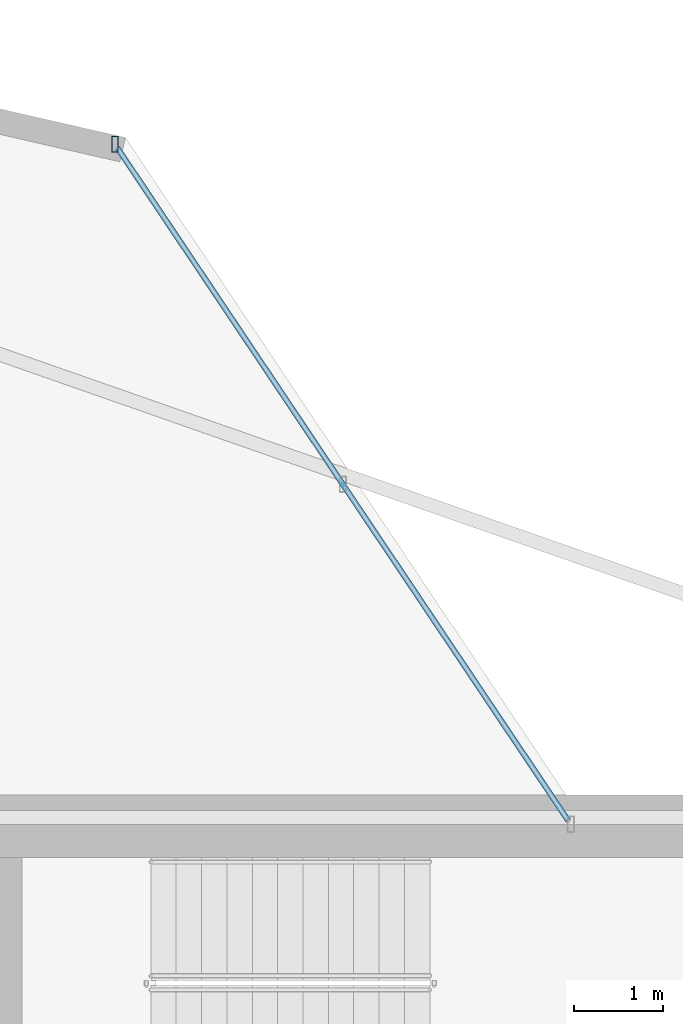
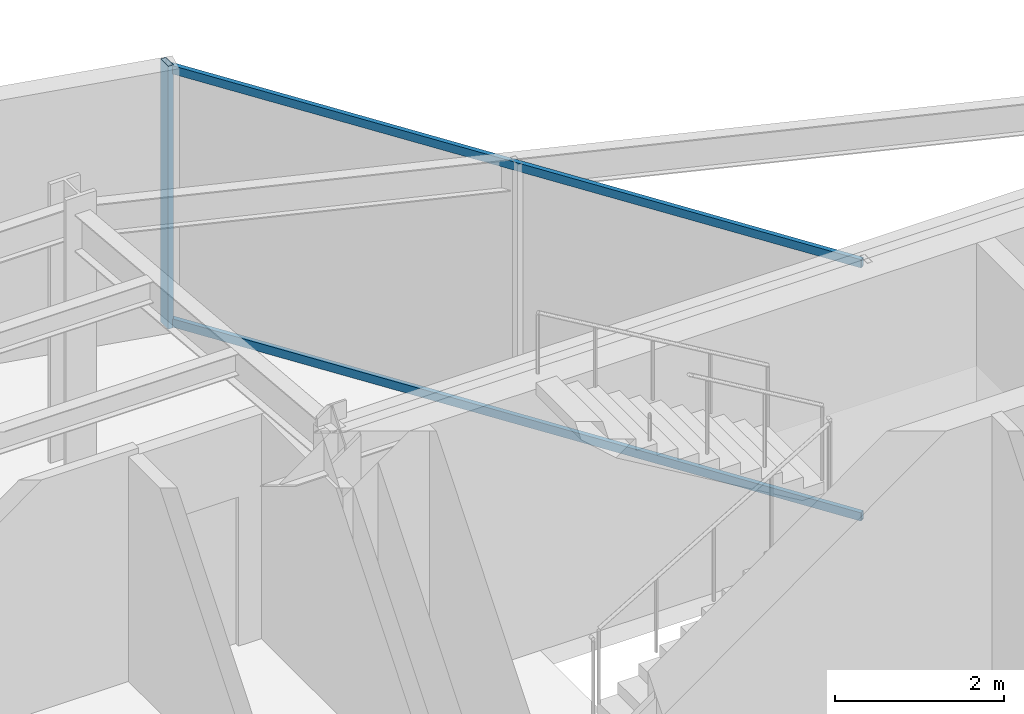
# One storey, part 13 of 22: 3 members, 1 element without a shape of its own.
"""IFC4 building model written with IfcOpenShell, lengths in metres."""

from ifc_helpers import new_model, si_unit, direction, frame, origin, origin_2d, place, context, subcontext, project, spatial, hollow_rectangle, extrude, material, layer, layer_set, material_profile, profile_set, type_object, element, aggregate, save


model = new_model("IFC4")

# Units and contexts
model_context = context("Model", 3, precision=1e-05, world=origin(), true_north=direction((0.0, 1.0)))
body_context = subcontext(model_context, "Body", "Model", "MODEL_VIEW")
ifc_project = project(units=[si_unit("LENGTHUNIT", "METRE"), si_unit("AREAUNIT", "SQUARE_METRE"), si_unit("VOLUMEUNIT", "CUBIC_METRE"), si_unit("PLANEANGLEUNIT", "RADIAN"), si_unit("MASSUNIT", "GRAM", prefix="KILO")], contexts=[model_context])

# Site, building, storey
site_placement = place(None, origin())
site = spatial("IfcSite", under=ifc_project, at=site_placement, CompositionType="ELEMENT")
building_placement = place(site_placement, origin())
building = spatial("IfcBuilding", under=site, at=building_placement, Name="Veymaron Broadcast Tower", CompositionType="ELEMENT")
storey_placement = place(building_placement, frame((0.0, 0.0, 204.0)))
storey = spatial("IfcBuildingStorey", under=building, at=storey_placement, Name="L47", CompositionType="ELEMENT", Elevation=204.0)

# Curtain wall, members
ifc_material_1 = material(Name="Anodised aluminium AA 6063-T6 and laminated low-E dark glass", Category="aluminium")
ifc_layer = layer(ifc_material_1, 0.179931640625)
ifc_layer_set = layer_set([ifc_layer], Name="Anodised aluminium AA 6063-T6 and laminated low-E dark glass")
curtain_wall_type = type_object("IfcCurtainWallType", Name="CW-SYS-05", PredefinedType="NOTDEFINED", material=ifc_layer_set)
curtain_wall_placement = place(storey_placement, origin())
curtain_wall = element("IfcCurtainWall", 1, at=curtain_wall_placement, inside=storey, type_object=curtain_wall_type, Name="L47 dark-glass curtain wall CW-L47-E5-1", PredefinedType="NOTDEFINED")
ifc_material_2 = material(Name="Anodised aluminium AA 6063-T6", Category="aluminium")
ifc_material_profile_1 = material_profile(ifc_material_2, hollow_rectangle(XDim=0.074951171875, YDim=0.179931640625, WallThickness=0.0048828125, at=origin_2d()), Name="AL180X75X5")
ifc_profile_set_1 = profile_set([ifc_material_profile_1], Name="Anodised aluminium AA 6063-T6")
member_type_1 = type_object("IfcMemberType", Name="CW-MUL-02", PredefinedType="MULLION", material=ifc_profile_set_1)
member_1_placement = place(storey_placement, frame((41.0283203125, 39.56201171875, 0.0), z_axis=(0.0, 0.0, 1.0), x_axis=(1.0, 0.0, 0.0)))
member_1 = element("IfcMember", 2, at=member_1_placement, type_object=member_type_1, Name="CW-L47-E5-1 mullion 2", PredefinedType="MULLION", context=body_context, shape_type="SweptSolid", body=[
    extrude(hollow_rectangle(XDim=0.074951171875, YDim=0.179931640625, WallThickness=0.0048828125, at=origin_2d()), origin(), (0.0, 0.0, 1.0), 3.7900390625),
])
ifc_material_profile_2 = material_profile(ifc_material_2, hollow_rectangle(XDim=0.06005859375, YDim=0.1201171875, WallThickness=0.00390625, at=origin_2d()), Name="AL120X60X4")
ifc_profile_set_2 = profile_set([ifc_material_profile_2], Name="Anodised aluminium AA 6063-T6")
member_type_2 = type_object("IfcMemberType", Name="CW-TRN-02", PredefinedType="USERDEFINED", material=ifc_profile_set_2)
member_2_placement = place(storey_placement, frame((46.119873046875, 31.963623046875, 0.070068359375), z_axis=(-0.556680529668, 0.83072666256, 0.0), x_axis=(-0.83072666256, -0.556680529668, 0.0)))
member_2 = element("IfcMember", 3, at=member_2_placement, type_object=member_type_2, Name="CW-L47-E5-1 transom B", ObjectType="TRANSOM", PredefinedType="USERDEFINED", context=body_context, shape_type="SweptSolid", body=[
    extrude(hollow_rectangle(XDim=0.06005859375, YDim=0.1201171875, WallThickness=0.00390625, at=origin_2d()), origin(), (0.0, 0.0, 1.0), 9.0966796875),
])
member_3_placement = place(storey_placement, frame((46.119873046875, 31.963623046875, 3.719970703125), z_axis=(-0.556680529668, 0.83072666256, 0.0), x_axis=(-0.83072666256, -0.556680529668, 0.0)))
member_3 = element("IfcMember", 4, at=member_3_placement, type_object=member_type_2, Name="CW-L47-E5-1 transom T", ObjectType="TRANSOM", PredefinedType="USERDEFINED", context=body_context, shape_type="SweptSolid", body=[
    extrude(hollow_rectangle(XDim=0.06005859375, YDim=0.1201171875, WallThickness=0.00390625, at=origin_2d()), origin(), (0.0, 0.0, 1.0), 9.0966796875),
])
aggregate(curtain_wall, [member_1, member_2, member_3])

save(model, "model.ifc")
